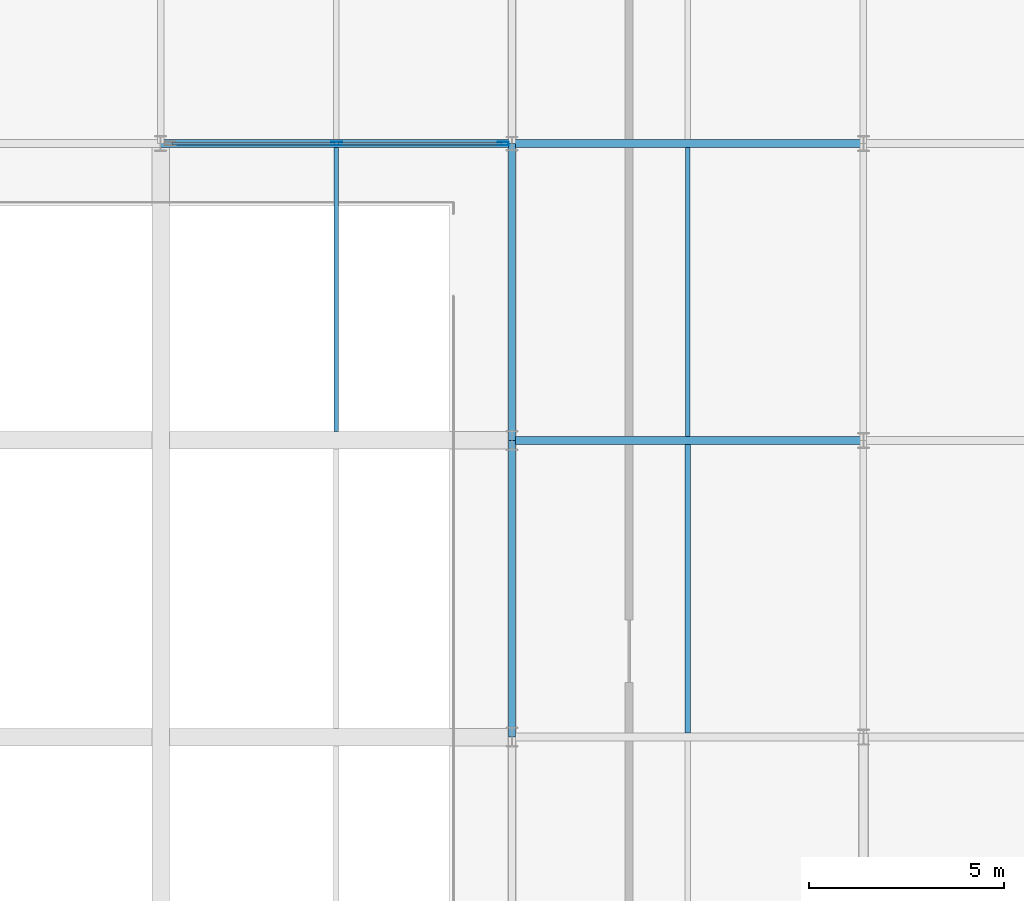
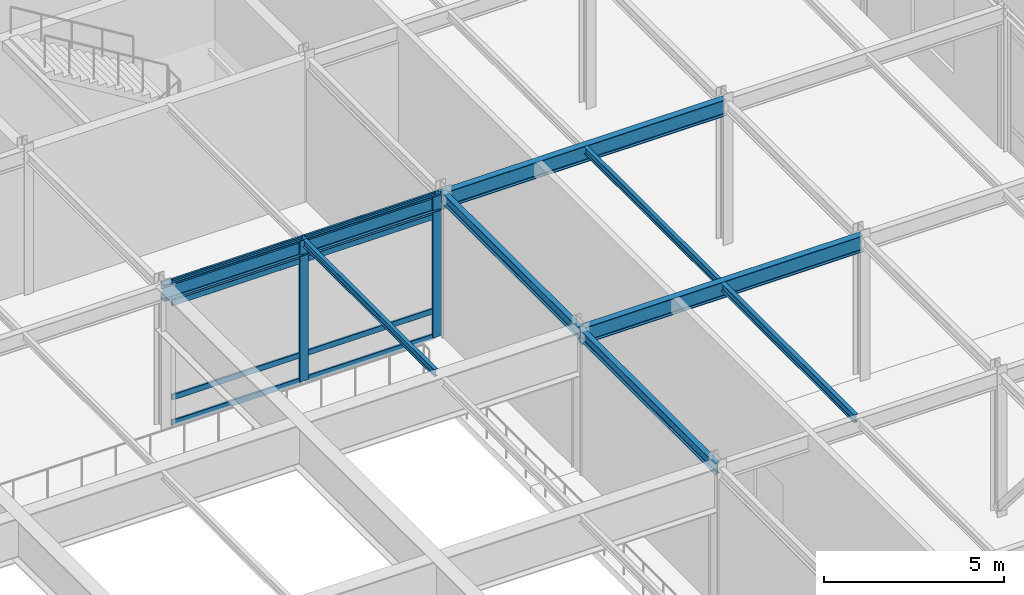
# One storey, part 34 of 79: 10 members, 8 beams, 1 element without a shape of its own.
"""IFC4 building model written with IfcOpenShell, lengths in metres."""

from ifc_helpers import new_model, si_unit, direction, frame, origin, origin_2d, place, context, subcontext, project, spatial, hollow_rectangle, i_section, extrude, material, layer, layer_set, material_profile, profile_set, type_object, element, aggregate, save


model = new_model("IFC4")

# Units and contexts
model_context = context("Model", 3, precision=1e-05, world=origin(), true_north=direction((0.0, 1.0)))
body_context = subcontext(model_context, "Body", "Model", "MODEL_VIEW")
ifc_project = project(units=[si_unit("LENGTHUNIT", "METRE"), si_unit("AREAUNIT", "SQUARE_METRE"), si_unit("VOLUMEUNIT", "CUBIC_METRE"), si_unit("PLANEANGLEUNIT", "RADIAN"), si_unit("MASSUNIT", "GRAM", prefix="KILO")], contexts=[model_context])

# Site, building, storey
site_placement = place(None, origin())
site = spatial("IfcSite", under=ifc_project, at=site_placement, CompositionType="ELEMENT")
building_placement = place(site_placement, origin())
building = spatial("IfcBuilding", under=site, at=building_placement, Name="Shalkamar Park Central Library", CompositionType="ELEMENT")
storey_placement = place(building_placement, frame((0.0, 0.0, 10.5)))
storey = spatial("IfcBuildingStorey", under=building, at=storey_placement, Name="L03", CompositionType="ELEMENT", Elevation=10.5)

# Beams
ifc_material_1 = material(Name="Steel S355", Category="steel")
ifc_material_profile_1 = material_profile(ifc_material_1, i_section(OverallWidth=0.1201171875, OverallDepth=0.239990234375, WebThickness=0.006103515625, FlangeThickness=0.009765625, FilletRadius=0.014892578125, at=origin_2d()), Name="IPE 240")
ifc_profile_set_1 = profile_set([ifc_material_profile_1], Name="Steel S355")
beam_type_1 = type_object("IfcBeamType", Name="Composite Floor Joist IPE240", PredefinedType="JOIST", material=ifc_profile_set_1)
beam_1_placement = place(storey_placement, frame((250.5, 285.822998046875, 4.719970703125), z_axis=(0.0, 1.0, 0.0), x_axis=(-1.0, 0.0, 0.0)))
element("IfcBeam", 1, at=beam_1_placement, inside=storey, type_object=beam_type_1, Name="Composite Joist 17/G-1 (L03)", PredefinedType="JOIST", context=body_context, shape_type="SweptSolid", body=[
    extrude(i_section(OverallWidth=0.1201171875, OverallDepth=0.239990234375, WebThickness=0.006103515625, FlangeThickness=0.009765625, FilletRadius=0.014892578125, at=origin_2d()), origin(), (0.0, 0.0, 1.0), 7.27392578125),
])
beam_2_placement = place(storey_placement, frame((259.5, 285.702880859375, 4.719970703125), z_axis=(0.0, 1.0, 0.0), x_axis=(-1.0, 0.0, 0.0)))
element("IfcBeam", 2, at=beam_2_placement, inside=storey, type_object=beam_type_1, Name="Composite Joist 18/G-1 (L03)", PredefinedType="JOIST", context=body_context, shape_type="SweptSolid", body=[
    extrude(i_section(OverallWidth=0.1201171875, OverallDepth=0.239990234375, WebThickness=0.006103515625, FlangeThickness=0.009765625, FilletRadius=0.014892578125, at=origin_2d()), origin(), (0.0, 0.0, 1.0), 7.39404296875),
])
ifc_material_profile_2 = material_profile(ifc_material_1, i_section(OverallWidth=0.135009765625, OverallDepth=0.27001953125, WebThickness=0.006591796875, FlangeThickness=0.01025390625, FilletRadius=0.014892578125, at=origin_2d()), Name="IPE 270")
ifc_profile_set_2 = profile_set([ifc_material_profile_2], Name="Steel S355")
beam_type_2 = type_object("IfcBeamType", Name="Composite Floor Joist IPE270", PredefinedType="JOIST", material=ifc_profile_set_2)
beam_3_placement = place(storey_placement, frame((259.5, 278.10302734375, 4.705078125), z_axis=(0.0, 1.0, 0.0), x_axis=(-1.0, 0.0, 0.0)))
element("IfcBeam", 3, at=beam_3_placement, inside=storey, type_object=beam_type_2, Name="Composite Joist 18/F-1 (L03)", PredefinedType="JOIST", context=body_context, shape_type="SweptSolid", body=[
    extrude(i_section(OverallWidth=0.135009765625, OverallDepth=0.27001953125, WebThickness=0.006591796875, FlangeThickness=0.01025390625, FilletRadius=0.014892578125, at=origin_2d()), origin(), (0.0, 0.0, 1.0), 7.39404296875),
])

# Curtain wall, members
ifc_material_2 = material(Name="Thermally broken aluminium and triple low-e curtain wall", Category="aluminium")
ifc_layer = layer(ifc_material_2, 0.280029296875)
ifc_layer_set = layer_set([ifc_layer], Name="AtriumGlazedScreen_124")
curtain_wall_type = type_object("IfcCurtainWallType", Name="Atrium Glazed Screen 124", PredefinedType="USERDEFINED", material=ifc_layer_set)
curtain_wall_placement = place(storey_placement, origin())
curtain_wall = element("IfcCurtainWall", 4, at=curtain_wall_placement, inside=storey, type_object=curtain_wall_type, Name="Atrium Glazed Screen CW-L03-181", ObjectType="ATRIUM GLAZED SCREEN", PredefinedType="USERDEFINED")
ifc_material_3 = material(Name="Aluminium 6060-T66", Category="aluminium")
ifc_material_profile_3 = material_profile(ifc_material_3, hollow_rectangle(XDim=0.090087890625, YDim=0.280029296875, WallThickness=0.0048828125, InnerFilletRadius=0.0048828125, OuterFilletRadius=0.007568359375, at=origin_2d()), Name="ALU 90x280x5")
ifc_profile_set_3 = profile_set([ifc_material_profile_3], Name="Aluminium 6060-T66")
member_type_1 = type_object("IfcMemberType", Name="Curtain Wall Mullion ALU90x280", PredefinedType="MULLION", material=ifc_profile_set_3)
member_1_placement = place(storey_placement, frame((250.510009765625, 293.199951171875, 0.0), z_axis=(0.0, 0.0, 1.0), x_axis=(0.0, 1.0, 0.0)))
member_1 = element("IfcMember", 5, at=member_1_placement, type_object=member_type_1, Name="CW-124 mullion 2", PredefinedType="MULLION", context=body_context, shape_type="SweptSolid", body=[
    extrude(hollow_rectangle(XDim=0.090087890625, YDim=0.280029296875, WallThickness=0.0048828125, InnerFilletRadius=0.0048828125, OuterFilletRadius=0.007568359375, at=origin_2d()), origin(), (0.0, 0.0, 1.0), 4.840087890625),
])
member_2_placement = place(storey_placement, frame((254.77099609375, 293.199951171875, 0.0), z_axis=(0.0, 0.0, 1.0), x_axis=(0.0, 1.0, 0.0)))
member_2 = element("IfcMember", 6, at=member_2_placement, type_object=member_type_1, Name="CW-124 mullion 3", PredefinedType="MULLION", context=body_context, shape_type="SweptSolid", body=[
    extrude(hollow_rectangle(XDim=0.090087890625, YDim=0.280029296875, WallThickness=0.0048828125, InnerFilletRadius=0.0048828125, OuterFilletRadius=0.007568359375, at=origin_2d()), origin(), (0.0, 0.0, 1.0), 4.840087890625),
])
ifc_material_profile_4 = material_profile(ifc_material_3, hollow_rectangle(XDim=0.070068359375, YDim=0.18994140625, WallThickness=0.0048828125, InnerFilletRadius=0.0048828125, OuterFilletRadius=0.007568359375, at=origin_2d()), Name="ALU 70x190x5")
ifc_profile_set_4 = profile_set([ifc_material_profile_4], Name="Aluminium 6060-T66")
member_type_2 = type_object("IfcMemberType", Name="Curtain Wall Transom ALU70x190", PredefinedType="USERDEFINED", material=ifc_profile_set_4)
member_3_placement = place(storey_placement, frame((246.2939453125, 293.199951171875, 0.034912109375), z_axis=(1.0, 0.0, 0.0), x_axis=(0.0, 1.0, 0.0)))
member_3 = element("IfcMember", 7, at=member_3_placement, type_object=member_type_2, Name="CW-124 transom 1.1", ObjectType="TRANSOM", PredefinedType="USERDEFINED", context=body_context, shape_type="SweptSolid", body=[
    extrude(hollow_rectangle(XDim=0.070068359375, YDim=0.18994140625, WallThickness=0.0048828125, InnerFilletRadius=0.0048828125, OuterFilletRadius=0.007568359375, at=origin_2d()), origin(), (0.0, 0.0, 1.0), 4.171142578125),
])
member_4_placement = place(storey_placement, frame((246.2939453125, 293.199951171875, 0.89990234375), z_axis=(1.0, 0.0, 0.0), x_axis=(0.0, 1.0, 0.0)))
member_4 = element("IfcMember", 8, at=member_4_placement, type_object=member_type_2, Name="CW-124 transom 1.2", ObjectType="TRANSOM", PredefinedType="USERDEFINED", context=body_context, shape_type="SweptSolid", body=[
    extrude(hollow_rectangle(XDim=0.070068359375, YDim=0.18994140625, WallThickness=0.0048828125, InnerFilletRadius=0.0048828125, OuterFilletRadius=0.007568359375, at=origin_2d()), origin(), (0.0, 0.0, 1.0), 4.171142578125),
])
member_5_placement = place(storey_placement, frame((246.2939453125, 293.199951171875, 4.090087890625), z_axis=(1.0, 0.0, 0.0), x_axis=(0.0, 1.0, 0.0)))
member_5 = element("IfcMember", 9, at=member_5_placement, type_object=member_type_2, Name="CW-124 transom 1.3", ObjectType="TRANSOM", PredefinedType="USERDEFINED", context=body_context, shape_type="SweptSolid", body=[
    extrude(hollow_rectangle(XDim=0.070068359375, YDim=0.18994140625, WallThickness=0.0048828125, InnerFilletRadius=0.0048828125, OuterFilletRadius=0.007568359375, at=origin_2d()), origin(), (0.0, 0.0, 1.0), 4.171142578125),
])
member_6_placement = place(storey_placement, frame((246.2939453125, 293.199951171875, 4.804931640625), z_axis=(1.0, 0.0, 0.0), x_axis=(0.0, 1.0, 0.0)))
member_6 = element("IfcMember", 10, at=member_6_placement, type_object=member_type_2, Name="CW-124 transom 1.4", ObjectType="TRANSOM", PredefinedType="USERDEFINED", context=body_context, shape_type="SweptSolid", body=[
    extrude(hollow_rectangle(XDim=0.070068359375, YDim=0.18994140625, WallThickness=0.0048828125, InnerFilletRadius=0.0048828125, OuterFilletRadius=0.007568359375, at=origin_2d()), origin(), (0.0, 0.0, 1.0), 4.171142578125),
])
member_7_placement = place(storey_placement, frame((250.554931640625, 293.199951171875, 0.034912109375), z_axis=(1.0, 0.0, 0.0), x_axis=(0.0, 1.0, 0.0)))
member_7 = element("IfcMember", 11, at=member_7_placement, type_object=member_type_2, Name="CW-124 transom 2.1", ObjectType="TRANSOM", PredefinedType="USERDEFINED", context=body_context, shape_type="SweptSolid", body=[
    extrude(hollow_rectangle(XDim=0.070068359375, YDim=0.18994140625, WallThickness=0.0048828125, InnerFilletRadius=0.0048828125, OuterFilletRadius=0.007568359375, at=origin_2d()), origin(), (0.0, 0.0, 1.0), 4.171142578125),
])
member_8_placement = place(storey_placement, frame((250.554931640625, 293.199951171875, 0.89990234375), z_axis=(1.0, 0.0, 0.0), x_axis=(0.0, 1.0, 0.0)))
member_8 = element("IfcMember", 12, at=member_8_placement, type_object=member_type_2, Name="CW-124 transom 2.2", ObjectType="TRANSOM", PredefinedType="USERDEFINED", context=body_context, shape_type="SweptSolid", body=[
    extrude(hollow_rectangle(XDim=0.070068359375, YDim=0.18994140625, WallThickness=0.0048828125, InnerFilletRadius=0.0048828125, OuterFilletRadius=0.007568359375, at=origin_2d()), origin(), (0.0, 0.0, 1.0), 4.171142578125),
])
member_9_placement = place(storey_placement, frame((250.554931640625, 293.199951171875, 4.090087890625), z_axis=(1.0, 0.0, 0.0), x_axis=(0.0, 1.0, 0.0)))
member_9 = element("IfcMember", 13, at=member_9_placement, type_object=member_type_2, Name="CW-124 transom 2.3", ObjectType="TRANSOM", PredefinedType="USERDEFINED", context=body_context, shape_type="SweptSolid", body=[
    extrude(hollow_rectangle(XDim=0.070068359375, YDim=0.18994140625, WallThickness=0.0048828125, InnerFilletRadius=0.0048828125, OuterFilletRadius=0.007568359375, at=origin_2d()), origin(), (0.0, 0.0, 1.0), 4.171142578125),
])
member_10_placement = place(storey_placement, frame((250.554931640625, 293.199951171875, 4.804931640625), z_axis=(1.0, 0.0, 0.0), x_axis=(0.0, 1.0, 0.0)))
member_10 = element("IfcMember", 14, at=member_10_placement, type_object=member_type_2, Name="CW-124 transom 2.4", ObjectType="TRANSOM", PredefinedType="USERDEFINED", context=body_context, shape_type="SweptSolid", body=[
    extrude(hollow_rectangle(XDim=0.070068359375, YDim=0.18994140625, WallThickness=0.0048828125, InnerFilletRadius=0.0048828125, OuterFilletRadius=0.007568359375, at=origin_2d()), origin(), (0.0, 0.0, 1.0), 4.171142578125),
])
aggregate(curtain_wall, [member_1, member_2, member_3, member_4, member_5, member_6, member_7, member_8, member_9, member_10])

# Beams
ifc_material_profile_5 = material_profile(ifc_material_1, i_section(OverallWidth=0.169921875, OverallDepth=0.360107421875, WebThickness=0.008056640625, FlangeThickness=0.0126953125, FilletRadius=0.01806640625, at=origin_2d()), Name="IPE 360")
ifc_profile_set_5 = profile_set([ifc_material_profile_5], Name="Steel S355")
beam_type_3 = type_object("IfcBeamType", Name="Primary Girder IPE360", PredefinedType="BEAM", material=ifc_profile_set_5)
beam_4_placement = place(storey_placement, frame((255.0, 278.0, 4.659912109375), z_axis=(0.0, 1.0, 0.0), x_axis=(-1.0, 0.0, 0.0)))
element("IfcBeam", 15, at=beam_4_placement, inside=storey, type_object=beam_type_3, Name="Beam 18:F-G (L03)", PredefinedType="BEAM", context=body_context, shape_type="SweptSolid", body=[
    extrude(i_section(OverallWidth=0.169921875, OverallDepth=0.360107421875, WebThickness=0.008056640625, FlangeThickness=0.0126953125, FilletRadius=0.01806640625, at=origin_2d()), origin(), (0.0, 0.0, 1.0), 7.60009765625),
])
beam_5_placement = place(storey_placement, frame((255.0, 285.60009765625, 4.659912109375), z_axis=(0.0, 1.0, 0.0), x_axis=(-1.0, 0.0, 0.0)))
element("IfcBeam", 16, at=beam_5_placement, inside=storey, type_object=beam_type_3, Name="Beam 18:G-H (L03)", PredefinedType="BEAM", context=body_context, shape_type="SweptSolid", body=[
    extrude(i_section(OverallWidth=0.169921875, OverallDepth=0.360107421875, WebThickness=0.008056640625, FlangeThickness=0.0126953125, FilletRadius=0.01806640625, at=origin_2d()), origin(), (0.0, 0.0, 1.0), 7.599853515625),
])
ifc_material_profile_6 = material_profile(ifc_material_1, i_section(OverallWidth=0.2099609375, OverallDepth=0.550048828125, WebThickness=0.010986328125, FlangeThickness=0.01708984375, FilletRadius=0.02392578125, at=origin_2d()), Name="IPE 550")
ifc_profile_set_6 = profile_set([ifc_material_profile_6], Name="Steel S355")
beam_type_4 = type_object("IfcBeamType", Name="Primary Girder IPE550", PredefinedType="BEAM", material=ifc_profile_set_6)
for number, where, z_axis, x_axis, name in (
    (17, (255.0, 285.60009765625, 4.56494140625), (1.0, 0.0, 0.0), (0.0, 1.0, 0.0), "Beam G:18-19 (L03)"),
    (18, (246.0, 293.199951171875, 4.56494140625), (1.0, 0.0, 0.0), (0.0, 1.0, 0.0), "Beam H:17-18 (L03)"),
    (19, (255.0, 293.199951171875, 4.56494140625), (1.0, 0.0, 0.0), (0.0, 1.0, 0.0), "Beam H:18-19 (L03)"),
):
    element("IfcBeam", number, at=place(storey_placement, frame(where, z_axis=z_axis, x_axis=x_axis)), inside=storey, type_object=beam_type_4, Name=name, PredefinedType="BEAM", context=body_context, shape_type="SweptSolid", body=[
        extrude(i_section(OverallWidth=0.2099609375, OverallDepth=0.550048828125, WebThickness=0.010986328125, FlangeThickness=0.01708984375, FilletRadius=0.02392578125, at=origin_2d()), origin(), (0.0, 0.0, 1.0), 9.0),
    ])

save(model, "model.ifc")
